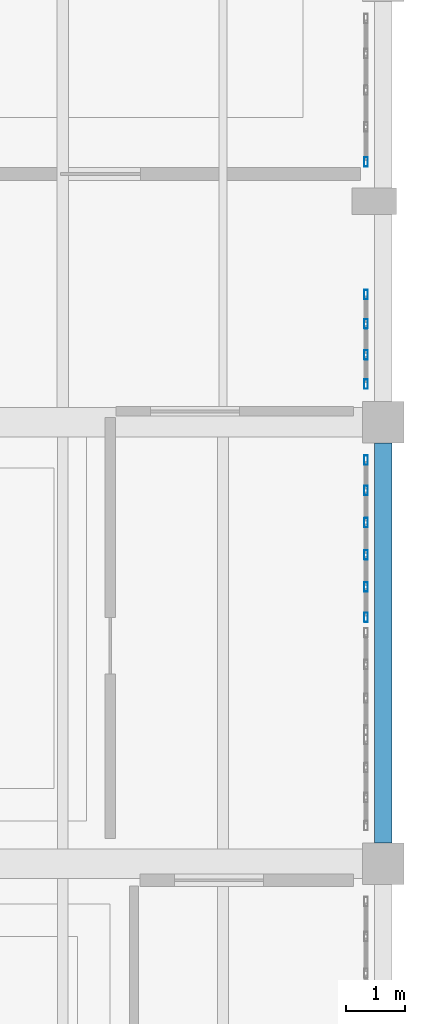
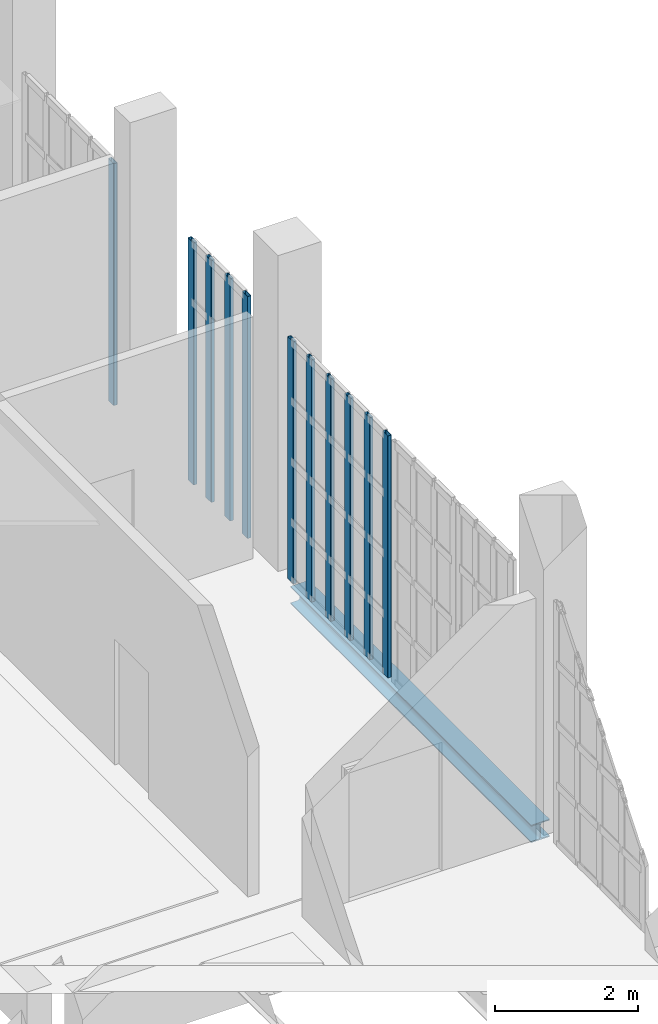
# One storey, part 288 of 372: 11 members, 1 beam, 3 elements without a shape of their own.
"""IFC4 building model written with IfcOpenShell, lengths in metres."""

from ifc_helpers import new_model, si_unit, direction, frame, origin, origin_2d, place, context, subcontext, project, spatial, hollow_rectangle, i_section, extrude, material, material_profile, profile_set, type_object, element, aggregate, save


model = new_model("IFC4")

# Units and contexts
model_context = context("Model", 3, precision=1e-05, world=origin(), true_north=direction((0.0, 1.0)))
body_context = subcontext(model_context, "Body", "Model", "MODEL_VIEW")
ifc_project = project(units=[si_unit("LENGTHUNIT", "METRE"), si_unit("AREAUNIT", "SQUARE_METRE"), si_unit("VOLUMEUNIT", "CUBIC_METRE"), si_unit("PLANEANGLEUNIT", "RADIAN"), si_unit("MASSUNIT", "GRAM", prefix="KILO")], contexts=[model_context])

# Site, building, storey
site_placement = place(None, origin())
site = spatial("IfcSite", under=ifc_project, at=site_placement, CompositionType="ELEMENT")
building_placement = place(site_placement, origin())
building = spatial("IfcBuilding", under=site, at=building_placement, Name="Kaelora Sail Theatre", CompositionType="ELEMENT")
storey_placement = place(building_placement, origin())
storey = spatial("IfcBuildingStorey", under=building, at=storey_placement, Name="L00", CompositionType="ELEMENT", Elevation=0.0)

# Curtain wall, members
ifc_material_1 = material(Name="Anodised aluminium and solar-control low-E IGU", Category="aluminium")
curtain_wall_type = type_object("IfcCurtainWallType", Name="ARC-CW-CW-FOY1", PredefinedType="NOTDEFINED", material=ifc_material_1)
curtain_wall_1_placement = place(storey_placement, origin())
curtain_wall_1 = element("IfcCurtainWall", 1, at=curtain_wall_1_placement, inside=storey, type_object=curtain_wall_type, Name="Glazed Colonnade/Courtyard Curtain Wall COLE-E-L00-12", PredefinedType="NOTDEFINED")
ifc_material_2 = material(Name="Anodised aluminium 6063-T6", Category="aluminium")
ifc_material_profile_1 = material_profile(ifc_material_2, hollow_rectangle(XDim=0.06005859375, YDim=0.159912109375, WallThickness=0.00390625, InnerFilletRadius=0.00390625, OuterFilletRadius=0.008056640625, at=origin_2d()), Name="ALU-MULL 60x160x4")
ifc_profile_set_1 = profile_set([ifc_material_profile_1], Name="Anodised aluminium 6063-T6")
member_type = type_object("IfcMemberType", Name="ARC-MEM-ML-160", PredefinedType="MULLION", material=ifc_profile_set_1)
member_1_placement = place(storey_placement, frame((163.2099609375, 57.72998046875, 0.0), z_axis=(0.0, 0.0, 1.0), x_axis=(-1.0, 0.0, 0.0)))
member_1 = element("IfcMember", 2, at=member_1_placement, type_object=member_type, Name="CW-FOY1 mullion 1", PredefinedType="MULLION", context=body_context, shape_type="SweptSolid", body=[
    extrude(hollow_rectangle(XDim=0.06005859375, YDim=0.159912109375, WallThickness=0.00390625, InnerFilletRadius=0.00390625, OuterFilletRadius=0.008056640625, at=origin_2d()), origin(), (0.0, 0.0, 1.0), 4.136962890625),
])
member_2_placement = place(storey_placement, frame((163.2099609375, 58.241943359375, 0.0), z_axis=(0.0, 0.0, 1.0), x_axis=(-1.0, 0.0, 0.0)))
member_2 = element("IfcMember", 3, at=member_2_placement, type_object=member_type, Name="CW-FOY1 mullion 2", PredefinedType="MULLION", context=body_context, shape_type="SweptSolid", body=[
    extrude(hollow_rectangle(XDim=0.06005859375, YDim=0.159912109375, WallThickness=0.00390625, InnerFilletRadius=0.00390625, OuterFilletRadius=0.008056640625, at=origin_2d()), origin(), (0.0, 0.0, 1.0), 4.136962890625),
])
member_3_placement = place(storey_placement, frame((163.2099609375, 58.783935546875, 0.0), z_axis=(0.0, 0.0, 1.0), x_axis=(-1.0, 0.0, 0.0)))
member_3 = element("IfcMember", 4, at=member_3_placement, type_object=member_type, Name="CW-FOY1 mullion 3", PredefinedType="MULLION", context=body_context, shape_type="SweptSolid", body=[
    extrude(hollow_rectangle(XDim=0.06005859375, YDim=0.159912109375, WallThickness=0.00390625, InnerFilletRadius=0.00390625, OuterFilletRadius=0.008056640625, at=origin_2d()), origin(), (0.0, 0.0, 1.0), 4.136962890625),
])
member_4_placement = place(storey_placement, frame((163.2099609375, 59.325927734375, 0.0), z_axis=(0.0, 0.0, 1.0), x_axis=(-1.0, 0.0, 0.0)))
member_4 = element("IfcMember", 5, at=member_4_placement, type_object=member_type, Name="CW-FOY1 mullion 4", PredefinedType="MULLION", context=body_context, shape_type="SweptSolid", body=[
    extrude(hollow_rectangle(XDim=0.06005859375, YDim=0.159912109375, WallThickness=0.00390625, InnerFilletRadius=0.00390625, OuterFilletRadius=0.008056640625, at=origin_2d()), origin(), (0.0, 0.0, 1.0), 4.136962890625),
])
member_5_placement = place(storey_placement, frame((163.2099609375, 59.867919921875, 0.0), z_axis=(0.0, 0.0, 1.0), x_axis=(-1.0, 0.0, 0.0)))
member_5 = element("IfcMember", 6, at=member_5_placement, type_object=member_type, Name="CW-FOY1 mullion 5", PredefinedType="MULLION", context=body_context, shape_type="SweptSolid", body=[
    extrude(hollow_rectangle(XDim=0.06005859375, YDim=0.159912109375, WallThickness=0.00390625, InnerFilletRadius=0.00390625, OuterFilletRadius=0.008056640625, at=origin_2d()), origin(), (0.0, 0.0, 1.0), 4.136962890625),
])
member_6_placement = place(storey_placement, frame((163.2099609375, 60.3798828125, 0.0), z_axis=(0.0, 0.0, 1.0), x_axis=(-1.0, 0.0, 0.0)))
member_6 = element("IfcMember", 7, at=member_6_placement, type_object=member_type, Name="CW-FOY1 mullion 6", PredefinedType="MULLION", context=body_context, shape_type="SweptSolid", body=[
    extrude(hollow_rectangle(XDim=0.06005859375, YDim=0.159912109375, WallThickness=0.00390625, InnerFilletRadius=0.00390625, OuterFilletRadius=0.008056640625, at=origin_2d()), origin(), (0.0, 0.0, 1.0), 4.136962890625),
])
aggregate(curtain_wall_1, [member_1, member_2, member_3, member_4, member_5, member_6])

curtain_wall_2_placement = place(storey_placement, origin())
curtain_wall_2 = element("IfcCurtainWall", 8, at=curtain_wall_2_placement, inside=storey, type_object=curtain_wall_type, Name="Glazed Colonnade/Courtyard Curtain Wall COLE-E-L00-13", PredefinedType="NOTDEFINED")
member_7_placement = place(storey_placement, frame((163.2099609375, 61.659912109375, 0.0), z_axis=(0.0, 0.0, 1.0), x_axis=(-1.0, 0.0, 0.0)))
member_7 = element("IfcMember", 9, at=member_7_placement, type_object=member_type, Name="CW-FOY1 mullion 1", PredefinedType="MULLION", context=body_context, shape_type="SweptSolid", body=[
    extrude(hollow_rectangle(XDim=0.06005859375, YDim=0.159912109375, WallThickness=0.00390625, InnerFilletRadius=0.00390625, OuterFilletRadius=0.008056640625, at=origin_2d()), origin(), (0.0, 0.0, 1.0), 4.136962890625),
])
member_8_placement = place(storey_placement, frame((163.2099609375, 62.1533203125, 0.0), z_axis=(0.0, 0.0, 1.0), x_axis=(-1.0, 0.0, 0.0)))
member_8 = element("IfcMember", 10, at=member_8_placement, type_object=member_type, Name="CW-FOY1 mullion 2", PredefinedType="MULLION", context=body_context, shape_type="SweptSolid", body=[
    extrude(hollow_rectangle(XDim=0.06005859375, YDim=0.159912109375, WallThickness=0.00390625, InnerFilletRadius=0.00390625, OuterFilletRadius=0.008056640625, at=origin_2d()), origin(), (0.0, 0.0, 1.0), 4.136962890625),
])
member_9_placement = place(storey_placement, frame((163.2099609375, 62.6767578125, 0.0), z_axis=(0.0, 0.0, 1.0), x_axis=(-1.0, 0.0, 0.0)))
member_9 = element("IfcMember", 11, at=member_9_placement, type_object=member_type, Name="CW-FOY1 mullion 3", PredefinedType="MULLION", context=body_context, shape_type="SweptSolid", body=[
    extrude(hollow_rectangle(XDim=0.06005859375, YDim=0.159912109375, WallThickness=0.00390625, InnerFilletRadius=0.00390625, OuterFilletRadius=0.008056640625, at=origin_2d()), origin(), (0.0, 0.0, 1.0), 4.136962890625),
])
member_10_placement = place(storey_placement, frame((163.2099609375, 63.169921875, 0.0), z_axis=(0.0, 0.0, 1.0), x_axis=(-1.0, 0.0, 0.0)))
member_10 = element("IfcMember", 12, at=member_10_placement, type_object=member_type, Name="CW-FOY1 mullion 4", PredefinedType="MULLION", context=body_context, shape_type="SweptSolid", body=[
    extrude(hollow_rectangle(XDim=0.06005859375, YDim=0.159912109375, WallThickness=0.00390625, InnerFilletRadius=0.00390625, OuterFilletRadius=0.008056640625, at=origin_2d()), origin(), (0.0, 0.0, 1.0), 4.136962890625),
])
aggregate(curtain_wall_2, [member_7, member_8, member_9, member_10])

# Curtain wall, member
curtain_wall_3_placement = place(storey_placement, origin())
curtain_wall_3 = element("IfcCurtainWall", 13, at=curtain_wall_3_placement, inside=storey, type_object=curtain_wall_type, Name="Glazed Colonnade/Courtyard Curtain Wall COLE-E-L00-15", PredefinedType="NOTDEFINED")
member_11_placement = place(storey_placement, frame((163.2099609375, 65.405029296875, 0.0), z_axis=(0.0, 0.0, 1.0), x_axis=(-1.0, 0.0, 0.0)))
member_11 = element("IfcMember", 14, at=member_11_placement, type_object=member_type, Name="CW-FOY1 mullion 1", PredefinedType="MULLION", context=body_context, shape_type="SweptSolid", body=[
    extrude(hollow_rectangle(XDim=0.06005859375, YDim=0.159912109375, WallThickness=0.00390625, InnerFilletRadius=0.00390625, OuterFilletRadius=0.008056640625, at=origin_2d()), origin(), (0.0, 0.0, 1.0), 4.136962890625),
])
aggregate(curtain_wall_3, [member_11])

# Beam
ifc_material_3 = material(Name="Steel S355", Category="steel")
ifc_material_profile_2 = material_profile(ifc_material_3, i_section(OverallWidth=0.300048828125, OverallDepth=0.300048828125, WebThickness=0.010986328125, FlangeThickness=0.01904296875, FilletRadius=0.027099609375, at=origin_2d()), Name="HEB 300")
ifc_profile_set_2 = profile_set([ifc_material_profile_2], Name="Steel S355")
beam_type = type_object("IfcBeamType", Name="STR-BM-SP-HEB300", PredefinedType="SPANDREL", material=ifc_profile_set_2)
beam_placement = place(storey_placement, frame((163.5, 53.929931640625, -0.469970703125), z_axis=(0.0, 1.0, 0.0), x_axis=(-1.0, 0.0, 0.0)))
element("IfcBeam", 15, at=beam_placement, inside=storey, type_object=beam_type, Name="Primary beam 21 H-I (L00)", PredefinedType="SPANDREL", context=body_context, shape_type="SweptSolid", body=[
    extrude(i_section(OverallWidth=0.300048828125, OverallDepth=0.300048828125, WebThickness=0.010986328125, FlangeThickness=0.01904296875, FilletRadius=0.027099609375, at=origin_2d()), origin(), (0.0, 0.0, 1.0), 6.739990234375),
])

save(model, "model.ifc")
